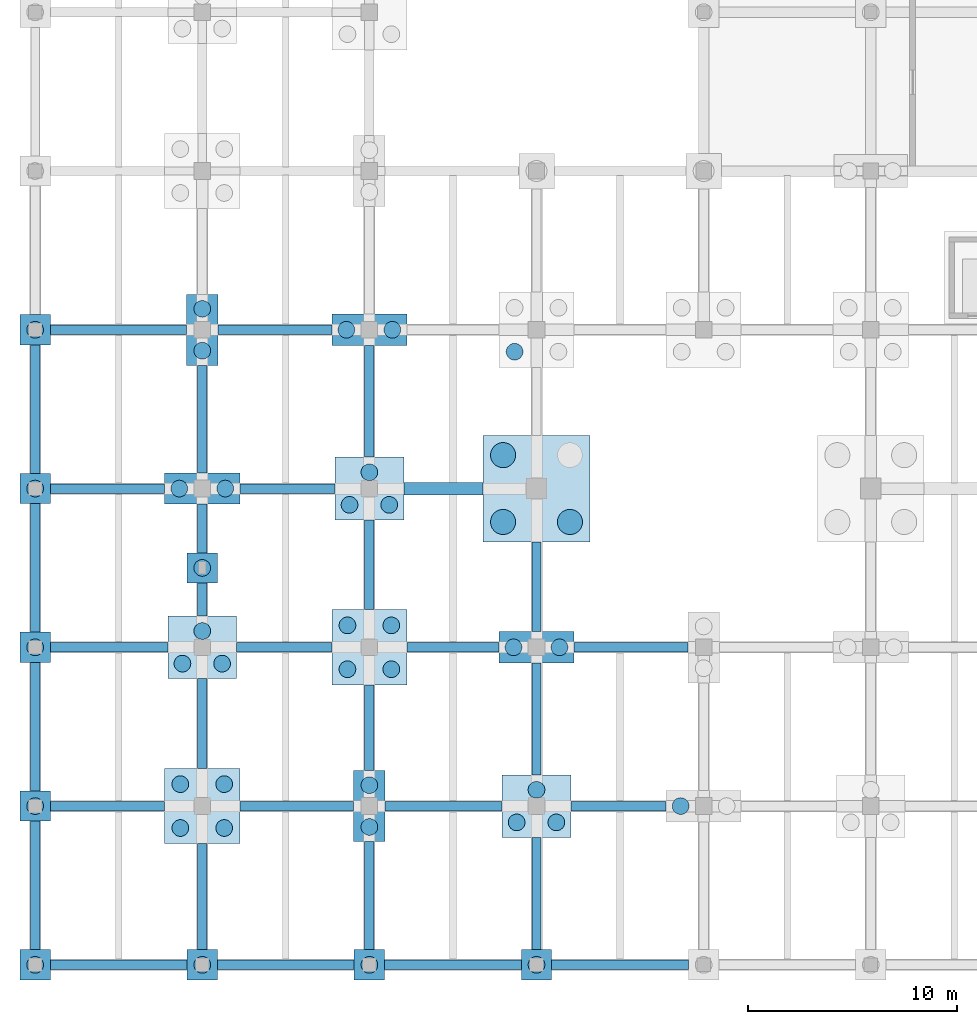
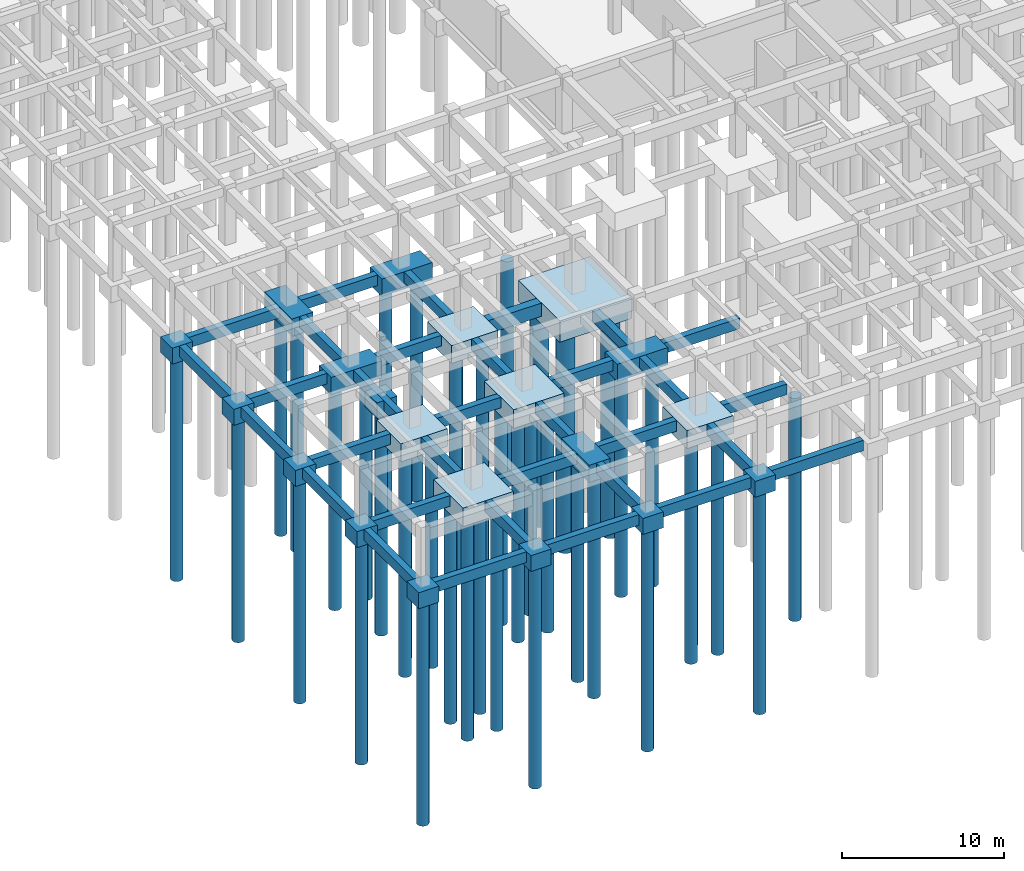
# One storey, part 1 of 49: 52 footings, 41 piles.
"""IFC4 building model written with IfcOpenShell, lengths in metres."""

from ifc_helpers import new_model, si_unit, direction, frame, origin, origin_2d, place, context, subcontext, project, spatial, rectangle, circle, extrude, material, layer, layer_set, material_profile, profile_set, type_object, element, save


model = new_model("IFC4")

# Units and contexts
model_context = context("Model", 3, precision=1e-05, world=origin(), true_north=direction((0.0, 1.0)))
body_context = subcontext(model_context, "Body", "Model", "MODEL_VIEW")
ifc_project = project(units=[si_unit("LENGTHUNIT", "METRE"), si_unit("AREAUNIT", "SQUARE_METRE"), si_unit("VOLUMEUNIT", "CUBIC_METRE"), si_unit("PLANEANGLEUNIT", "RADIAN"), si_unit("MASSUNIT", "GRAM", prefix="KILO")], contexts=[model_context])

# Site, building, storey
site_placement = place(None, origin())
site = spatial("IfcSite", under=ifc_project, at=site_placement, CompositionType="ELEMENT")
building_placement = place(site_placement, origin())
building = spatial("IfcBuilding", under=site, at=building_placement, Name="Zantavel Square City Hall", CompositionType="ELEMENT")
storey_placement = place(building_placement, frame((0.0, 0.0, -4.5)))
storey = spatial("IfcBuildingStorey", under=building, at=storey_placement, Name="B1", CompositionType="ELEMENT", Elevation=-4.5)

# Piles
ifc_material_1 = material(Name="Concrete C35/45", Category="concrete")
ifc_material_profile_1 = material_profile(ifc_material_1, circle(Radius=0.60009765625, at=origin_2d()), Name="PILE D1200")
ifc_profile_set_1 = profile_set([ifc_material_profile_1], Name="Concrete C35/45")
pile_type_1 = type_object("IfcPileType", Name="Bored Pile D1200 Concrete C35/45", PredefinedType="BORED", material=ifc_profile_set_1)
for number, where, z_axis, x_axis, name in (
    (1, (22.39990234375, 21.199951171875, -1.5), (0.0, 0.0, -1.0), (1.0, 0.0, 0.0), "Bored Pile FDN-PL-0240-0228-1"),
    (2, (25.60009765625, 21.199951171875, -1.5), (0.0, 0.0, -1.0), (1.0, 0.0, 0.0), "Bored Pile FDN-PL-0240-0228-2"),
    (3, (22.39990234375, 24.39990234375, -1.5), (0.0, 0.0, -1.0), (1.0, 0.0, 0.0), "Bored Pile FDN-PL-0240-0228-3"),
):
    element("IfcPile", number, at=place(storey_placement, frame(where, z_axis=z_axis, x_axis=x_axis)), inside=storey, type_object=pile_type_1, Name=name, PredefinedType="BORED", context=body_context, shape_type="SweptSolid", body=[
        extrude(circle(Radius=0.60009765625, at=origin_2d()), origin(), (0.0, 0.0, 1.0), 16.5),
    ])
ifc_material_profile_2 = material_profile(ifc_material_1, circle(Radius=0.39990234375, at=origin_2d()), Name="PILE D800")
ifc_profile_set_2 = profile_set([ifc_material_profile_2], Name="Concrete C35/45")
pile_type_2 = type_object("IfcPileType", Name="Bored Pile D800 Concrete C35/45", PredefinedType="BORED", material=ifc_profile_set_2)
for number, where, z_axis, x_axis, name in (
    (4, (0.0, 0.0, -1.10009765625), (0.0, 0.0, -1.0), (1.0, 0.0, 0.0), "Bored Pile FDN-PL-0000-0000-1"),
    (5, (0.0, 7.60009765625, -1.10009765625), (0.0, 0.0, -1.0), (1.0, 0.0, 0.0), "Bored Pile FDN-PL-0000-0076-1"),
    (6, (0.0, 15.199951171875, -1.10009765625), (0.0, 0.0, -1.0), (1.0, 0.0, 0.0), "Bored Pile FDN-PL-0000-0152-1"),
    (7, (0.0, 22.800048828125, -1.10009765625), (0.0, 0.0, -1.0), (1.0, 0.0, 0.0), "Bored Pile FDN-PL-0000-0228-1"),
    (8, (0.0, 30.39990234375, -1.10009765625), (0.0, 0.0, -1.0), (1.0, 0.0, 0.0), "Bored Pile FDN-PL-0000-0304-1"),
    (9, (8.0, 0.0, -1.10009765625), (0.0, 0.0, -1.0), (1.0, 0.0, 0.0), "Bored Pile FDN-PL-0080-0000-1"),
):
    element("IfcPile", number, at=place(storey_placement, frame(where, z_axis=z_axis, x_axis=x_axis)), inside=storey, type_object=pile_type_2, Name=name, PredefinedType="BORED", context=body_context, shape_type="SweptSolid", body=[
        extrude(circle(Radius=0.39990234375, at=origin_2d()), origin(), (0.0, 0.0, 1.0), 16.89990234375),
    ])
for number, where, z_axis, x_axis, name in (
    (10, (6.949951171875, 6.550048828125, -1.300048828125), (0.0, 0.0, -1.0), (1.0, 0.0, 0.0), "Bored Pile FDN-PL-0080-0076-1"),
    (11, (9.050048828125, 6.550048828125, -1.300048828125), (0.0, 0.0, -1.0), (1.0, 0.0, 0.0), "Bored Pile FDN-PL-0080-0076-2"),
    (12, (6.949951171875, 8.64990234375, -1.300048828125), (0.0, 0.0, -1.0), (1.0, 0.0, 0.0), "Bored Pile FDN-PL-0080-0076-3"),
    (13, (9.050048828125, 8.64990234375, -1.300048828125), (0.0, 0.0, -1.0), (1.0, 0.0, 0.0), "Bored Pile FDN-PL-0080-0076-4"),
):
    element("IfcPile", number, at=place(storey_placement, frame(where, z_axis=z_axis, x_axis=x_axis)), inside=storey, type_object=pile_type_2, Name=name, PredefinedType="BORED", context=body_context, shape_type="SweptSolid", body=[
        extrude(circle(Radius=0.39990234375, at=origin_2d()), origin(), (0.0, 0.0, 1.0), 16.699951171875),
    ])
for number, where, z_axis, x_axis, name in (
    (14, (7.050048828125, 14.419921875, -1.25), (0.0, 0.0, -1.0), (1.0, 0.0, 0.0), "Bored Pile FDN-PL-0080-0152-1"),
    (15, (8.949951171875, 14.419921875, -1.25), (0.0, 0.0, -1.0), (1.0, 0.0, 0.0), "Bored Pile FDN-PL-0080-0152-2"),
    (16, (8.0, 15.97998046875, -1.25), (0.0, 0.0, -1.0), (1.0, 0.0, 0.0), "Bored Pile FDN-PL-0080-0152-3"),
):
    element("IfcPile", number, at=place(storey_placement, frame(where, z_axis=z_axis, x_axis=x_axis)), inside=storey, type_object=pile_type_2, Name=name, PredefinedType="BORED", context=body_context, shape_type="SweptSolid", body=[
        extrude(circle(Radius=0.39990234375, at=origin_2d()), origin(), (0.0, 0.0, 1.0), 16.75),
    ])
for number, where, z_axis, x_axis, name in (
    (17, (6.89990234375, 22.800048828125, -1.199951171875), (0.0, 0.0, -1.0), (1.0, 0.0, 0.0), "Bored Pile FDN-PL-0080-0228-1"),
    (18, (9.10009765625, 22.800048828125, -1.199951171875), (0.0, 0.0, -1.0), (1.0, 0.0, 0.0), "Bored Pile FDN-PL-0080-0228-2"),
    (19, (8.0, 29.39990234375, -1.199951171875), (0.0, 0.0, -1.0), (1.0, 0.0, 0.0), "Bored Pile FDN-PL-0080-0304-1"),
    (20, (8.0, 31.39990234375, -1.199951171875), (0.0, 0.0, -1.0), (1.0, 0.0, 0.0), "Bored Pile FDN-PL-0080-0304-2"),
):
    element("IfcPile", number, at=place(storey_placement, frame(where, z_axis=z_axis, x_axis=x_axis)), inside=storey, type_object=pile_type_2, Name=name, PredefinedType="BORED", context=body_context, shape_type="SweptSolid", body=[
        extrude(circle(Radius=0.39990234375, at=origin_2d()), origin(), (0.0, 0.0, 1.0), 16.800048828125),
    ])
pile_1_placement = place(storey_placement, frame((16.0, 0.0, -1.10009765625), z_axis=(0.0, 0.0, -1.0), x_axis=(1.0, 0.0, 0.0)))
element("IfcPile", 21, at=pile_1_placement, inside=storey, type_object=pile_type_2, Name="Bored Pile FDN-PL-0160-0000-1", PredefinedType="BORED", context=body_context, shape_type="SweptSolid", body=[
    extrude(circle(Radius=0.39990234375, at=origin_2d()), origin(), (0.0, 0.0, 1.0), 16.89990234375),
])
for number, where, z_axis, x_axis, name in (
    (22, (16.0, 6.60009765625, -1.199951171875), (0.0, 0.0, -1.0), (1.0, 0.0, 0.0), "Bored Pile FDN-PL-0160-0076-1"),
    (23, (16.0, 8.60009765625, -1.199951171875), (0.0, 0.0, -1.0), (1.0, 0.0, 0.0), "Bored Pile FDN-PL-0160-0076-2"),
):
    element("IfcPile", number, at=place(storey_placement, frame(where, z_axis=z_axis, x_axis=x_axis)), inside=storey, type_object=pile_type_2, Name=name, PredefinedType="BORED", context=body_context, shape_type="SweptSolid", body=[
        extrude(circle(Radius=0.39990234375, at=origin_2d()), origin(), (0.0, 0.0, 1.0), 16.800048828125),
    ])
for number, where, z_axis, x_axis, name in (
    (24, (14.949951171875, 14.14990234375, -1.300048828125), (0.0, 0.0, -1.0), (1.0, 0.0, 0.0), "Bored Pile FDN-PL-0160-0152-1"),
    (25, (17.050048828125, 14.14990234375, -1.300048828125), (0.0, 0.0, -1.0), (1.0, 0.0, 0.0), "Bored Pile FDN-PL-0160-0152-2"),
    (26, (14.949951171875, 16.25, -1.300048828125), (0.0, 0.0, -1.0), (1.0, 0.0, 0.0), "Bored Pile FDN-PL-0160-0152-3"),
    (27, (17.050048828125, 16.25, -1.300048828125), (0.0, 0.0, -1.0), (1.0, 0.0, 0.0), "Bored Pile FDN-PL-0160-0152-4"),
):
    element("IfcPile", number, at=place(storey_placement, frame(where, z_axis=z_axis, x_axis=x_axis)), inside=storey, type_object=pile_type_2, Name=name, PredefinedType="BORED", context=body_context, shape_type="SweptSolid", body=[
        extrude(circle(Radius=0.39990234375, at=origin_2d()), origin(), (0.0, 0.0, 1.0), 16.699951171875),
    ])
for number, where, z_axis, x_axis, name in (
    (28, (15.050048828125, 22.02001953125, -1.25), (0.0, 0.0, -1.0), (1.0, 0.0, 0.0), "Bored Pile FDN-PL-0160-0228-1"),
    (29, (16.949951171875, 22.02001953125, -1.25), (0.0, 0.0, -1.0), (1.0, 0.0, 0.0), "Bored Pile FDN-PL-0160-0228-2"),
    (30, (16.0, 23.580078125, -1.25), (0.0, 0.0, -1.0), (1.0, 0.0, 0.0), "Bored Pile FDN-PL-0160-0228-3"),
):
    element("IfcPile", number, at=place(storey_placement, frame(where, z_axis=z_axis, x_axis=x_axis)), inside=storey, type_object=pile_type_2, Name=name, PredefinedType="BORED", context=body_context, shape_type="SweptSolid", body=[
        extrude(circle(Radius=0.39990234375, at=origin_2d()), origin(), (0.0, 0.0, 1.0), 16.75),
    ])
for number, where, z_axis, x_axis, name in (
    (31, (14.89990234375, 30.39990234375, -1.199951171875), (0.0, 0.0, -1.0), (1.0, 0.0, 0.0), "Bored Pile FDN-PL-0160-0304-1"),
    (32, (17.10009765625, 30.39990234375, -1.199951171875), (0.0, 0.0, -1.0), (1.0, 0.0, 0.0), "Bored Pile FDN-PL-0160-0304-2"),
):
    element("IfcPile", number, at=place(storey_placement, frame(where, z_axis=z_axis, x_axis=x_axis)), inside=storey, type_object=pile_type_2, Name=name, PredefinedType="BORED", context=body_context, shape_type="SweptSolid", body=[
        extrude(circle(Radius=0.39990234375, at=origin_2d()), origin(), (0.0, 0.0, 1.0), 16.800048828125),
    ])
pile_2_placement = place(storey_placement, frame((24.0, 0.0, -1.10009765625), z_axis=(0.0, 0.0, -1.0), x_axis=(1.0, 0.0, 0.0)))
element("IfcPile", 33, at=pile_2_placement, inside=storey, type_object=pile_type_2, Name="Bored Pile FDN-PL-0240-0000-1", PredefinedType="BORED", context=body_context, shape_type="SweptSolid", body=[
    extrude(circle(Radius=0.39990234375, at=origin_2d()), origin(), (0.0, 0.0, 1.0), 16.89990234375),
])
for number, where, z_axis, x_axis, name in (
    (34, (23.050048828125, 6.820068359375, -1.25), (0.0, 0.0, -1.0), (1.0, 0.0, 0.0), "Bored Pile FDN-PL-0240-0076-1"),
    (35, (24.949951171875, 6.820068359375, -1.25), (0.0, 0.0, -1.0), (1.0, 0.0, 0.0), "Bored Pile FDN-PL-0240-0076-2"),
    (36, (24.0, 8.3798828125, -1.25), (0.0, 0.0, -1.0), (1.0, 0.0, 0.0), "Bored Pile FDN-PL-0240-0076-3"),
):
    element("IfcPile", number, at=place(storey_placement, frame(where, z_axis=z_axis, x_axis=x_axis)), inside=storey, type_object=pile_type_2, Name=name, PredefinedType="BORED", context=body_context, shape_type="SweptSolid", body=[
        extrude(circle(Radius=0.39990234375, at=origin_2d()), origin(), (0.0, 0.0, 1.0), 16.75),
    ])
for number, where, z_axis, x_axis, name in (
    (37, (22.89990234375, 15.199951171875, -1.199951171875), (0.0, 0.0, -1.0), (1.0, 0.0, 0.0), "Bored Pile FDN-PL-0240-0152-1"),
    (38, (25.10009765625, 15.199951171875, -1.199951171875), (0.0, 0.0, -1.0), (1.0, 0.0, 0.0), "Bored Pile FDN-PL-0240-0152-2"),
):
    element("IfcPile", number, at=place(storey_placement, frame(where, z_axis=z_axis, x_axis=x_axis)), inside=storey, type_object=pile_type_2, Name=name, PredefinedType="BORED", context=body_context, shape_type="SweptSolid", body=[
        extrude(circle(Radius=0.39990234375, at=origin_2d()), origin(), (0.0, 0.0, 1.0), 16.800048828125),
    ])
pile_3_placement = place(storey_placement, frame((22.949951171875, 29.35009765625, -1.300048828125), z_axis=(0.0, 0.0, -1.0), x_axis=(1.0, 0.0, 0.0)))
element("IfcPile", 39, at=pile_3_placement, inside=storey, type_object=pile_type_2, Name="Bored Pile FDN-PL-0240-0304-1", PredefinedType="BORED", context=body_context, shape_type="SweptSolid", body=[
    extrude(circle(Radius=0.39990234375, at=origin_2d()), origin(), (0.0, 0.0, 1.0), 16.699951171875),
])
pile_4_placement = place(storey_placement, frame((30.89990234375, 7.60009765625, -1.199951171875), z_axis=(0.0, 0.0, -1.0), x_axis=(1.0, 0.0, 0.0)))
element("IfcPile", 40, at=pile_4_placement, inside=storey, type_object=pile_type_2, Name="Bored Pile FDN-PL-0320-0076-1", PredefinedType="BORED", context=body_context, shape_type="SweptSolid", body=[
    extrude(circle(Radius=0.39990234375, at=origin_2d()), origin(), (0.0, 0.0, 1.0), 16.800048828125),
])
pile_5_placement = place(storey_placement, frame((8.0, 19.0, -1.10009765625), z_axis=(0.0, 0.0, -1.0), x_axis=(1.0, 0.0, 0.0)))
element("IfcPile", 41, at=pile_5_placement, inside=storey, type_object=pile_type_2, Name="Pilaster Bored Pile FDN-PLPIL-0080-0190", PredefinedType="BORED", context=body_context, shape_type="SweptSolid", body=[
    extrude(circle(Radius=0.39990234375, at=origin_2d()), origin(), (0.0, 0.0, 1.0), 16.89990234375),
])

# Footings
ifc_material_profile_3 = material_profile(ifc_material_1, rectangle(XDim=0.449951171875, YDim=0.800048828125, at=origin_2d()), Name="RC 450x800")
ifc_profile_set_3 = profile_set([ifc_material_profile_3], Name="Concrete C35/45")
footing_type_1 = type_object("IfcFootingType", Name="Courtyard Grade Tie Beam 450x800 C35/45", PredefinedType="FOOTING_BEAM", material=ifc_profile_set_3)
footing_1_placement = place(storey_placement, frame((0.72509765625, 0.0, -0.39990234375), z_axis=(1.0, 0.0, 0.0), x_axis=(0.0, 1.0, 0.0)))
element("IfcFooting", 42, at=footing_1_placement, inside=storey, type_object=footing_type_1, Name="Grade Tie Beam FDN-GTBX-0000-0000", PredefinedType="FOOTING_BEAM", context=body_context, shape_type="SweptSolid", body=[
    extrude(rectangle(XDim=0.449951171875, YDim=0.800048828125, at=origin_2d()), origin(), (0.0, 0.0, 1.0), 6.5498046875),
])
footing_2_placement = place(storey_placement, frame((0.0, 0.72509765625, -0.39990234375), z_axis=(0.0, 1.0, 0.0), x_axis=(-1.0, 0.0, 0.0)))
element("IfcFooting", 43, at=footing_2_placement, inside=storey, type_object=footing_type_1, Name="Grade Tie Beam FDN-GTBY-0000-0000", PredefinedType="FOOTING_BEAM", context=body_context, shape_type="SweptSolid", body=[
    extrude(rectangle(XDim=0.449951171875, YDim=0.800048828125, at=origin_2d()), origin(), (0.0, 0.0, 1.0), 6.14990234375),
])
footing_3_placement = place(storey_placement, frame((0.72509765625, 7.60009765625, -0.39990234375), z_axis=(1.0, 0.0, 0.0), x_axis=(0.0, 1.0, 0.0)))
element("IfcFooting", 44, at=footing_3_placement, inside=storey, type_object=footing_type_1, Name="Grade Tie Beam FDN-GTBX-0000-0076", PredefinedType="FOOTING_BEAM", context=body_context, shape_type="SweptSolid", body=[
    extrude(rectangle(XDim=0.449951171875, YDim=0.800048828125, at=origin_2d()), origin(), (0.0, 0.0, 1.0), 5.474853515625),
])
footing_4_placement = place(storey_placement, frame((0.0, 8.324951171875, -0.39990234375), z_axis=(0.0, 1.0, 0.0), x_axis=(-1.0, 0.0, 0.0)))
element("IfcFooting", 45, at=footing_4_placement, inside=storey, type_object=footing_type_1, Name="Grade Tie Beam FDN-GTBY-0000-0076", PredefinedType="FOOTING_BEAM", context=body_context, shape_type="SweptSolid", body=[
    extrude(rectangle(XDim=0.449951171875, YDim=0.800048828125, at=origin_2d()), origin(), (0.0, 0.0, 1.0), 6.150146484375),
])
footing_5_placement = place(storey_placement, frame((0.72509765625, 15.199951171875, -0.39990234375), z_axis=(1.0, 0.0, 0.0), x_axis=(0.0, 1.0, 0.0)))
element("IfcFooting", 46, at=footing_5_placement, inside=storey, type_object=footing_type_1, Name="Grade Tie Beam FDN-GTBX-0000-0152", PredefinedType="FOOTING_BEAM", context=body_context, shape_type="SweptSolid", body=[
    extrude(rectangle(XDim=0.449951171875, YDim=0.800048828125, at=origin_2d()), origin(), (0.0, 0.0, 1.0), 5.625),
])
footing_6_placement = place(storey_placement, frame((0.0, 15.925048828125, -0.39990234375), z_axis=(0.0, 1.0, 0.0), x_axis=(-1.0, 0.0, 0.0)))
element("IfcFooting", 47, at=footing_6_placement, inside=storey, type_object=footing_type_1, Name="Grade Tie Beam FDN-GTBY-0000-0152", PredefinedType="FOOTING_BEAM", context=body_context, shape_type="SweptSolid", body=[
    extrude(rectangle(XDim=0.449951171875, YDim=0.800048828125, at=origin_2d()), origin(), (0.0, 0.0, 1.0), 6.14990234375),
])
footing_7_placement = place(storey_placement, frame((0.72509765625, 22.800048828125, -0.39990234375), z_axis=(1.0, 0.0, 0.0), x_axis=(0.0, 1.0, 0.0)))
element("IfcFooting", 48, at=footing_7_placement, inside=storey, type_object=footing_type_1, Name="Grade Tie Beam FDN-GTBX-0000-0228", PredefinedType="FOOTING_BEAM", context=body_context, shape_type="SweptSolid", body=[
    extrude(rectangle(XDim=0.449951171875, YDim=0.800048828125, at=origin_2d()), origin(), (0.0, 0.0, 1.0), 5.474853515625),
])
footing_8_placement = place(storey_placement, frame((0.0, 23.52490234375, -0.39990234375), z_axis=(0.0, 1.0, 0.0), x_axis=(-1.0, 0.0, 0.0)))
element("IfcFooting", 49, at=footing_8_placement, inside=storey, type_object=footing_type_1, Name="Grade Tie Beam FDN-GTBY-0000-0228", PredefinedType="FOOTING_BEAM", context=body_context, shape_type="SweptSolid", body=[
    extrude(rectangle(XDim=0.449951171875, YDim=0.800048828125, at=origin_2d()), origin(), (0.0, 0.0, 1.0), 6.150146484375),
])
footing_9_placement = place(storey_placement, frame((0.72509765625, 30.39990234375, -0.39990234375), z_axis=(1.0, 0.0, 0.0), x_axis=(0.0, 1.0, 0.0)))
element("IfcFooting", 50, at=footing_9_placement, inside=storey, type_object=footing_type_1, Name="Grade Tie Beam FDN-GTBX-0000-0304", PredefinedType="FOOTING_BEAM", context=body_context, shape_type="SweptSolid", body=[
    extrude(rectangle(XDim=0.449951171875, YDim=0.800048828125, at=origin_2d()), origin(), (0.0, 0.0, 1.0), 6.52490234375),
])
footing_10_placement = place(storey_placement, frame((8.72509765625, 0.0, -0.39990234375), z_axis=(1.0, 0.0, 0.0), x_axis=(0.0, 1.0, 0.0)))
element("IfcFooting", 51, at=footing_10_placement, inside=storey, type_object=footing_type_1, Name="Grade Tie Beam FDN-GTBX-0080-0000", PredefinedType="FOOTING_BEAM", context=body_context, shape_type="SweptSolid", body=[
    extrude(rectangle(XDim=0.449951171875, YDim=0.800048828125, at=origin_2d()), origin(), (0.0, 0.0, 1.0), 6.5498046875),
])
footing_11_placement = place(storey_placement, frame((8.0, 0.72509765625, -0.39990234375), z_axis=(0.0, 1.0, 0.0), x_axis=(-1.0, 0.0, 0.0)))
element("IfcFooting", 52, at=footing_11_placement, inside=storey, type_object=footing_type_1, Name="Grade Tie Beam FDN-GTBY-0080-0000", PredefinedType="FOOTING_BEAM", context=body_context, shape_type="SweptSolid", body=[
    extrude(rectangle(XDim=0.449951171875, YDim=0.800048828125, at=origin_2d()), origin(), (0.0, 0.0, 1.0), 5.074951171875),
])
footing_12_placement = place(storey_placement, frame((9.800048828125, 7.60009765625, -0.39990234375), z_axis=(1.0, 0.0, 0.0), x_axis=(0.0, 1.0, 0.0)))
element("IfcFooting", 53, at=footing_12_placement, inside=storey, type_object=footing_type_1, Name="Grade Tie Beam FDN-GTBX-0080-0076", PredefinedType="FOOTING_BEAM", context=body_context, shape_type="SweptSolid", body=[
    extrude(rectangle(XDim=0.449951171875, YDim=0.800048828125, at=origin_2d()), origin(), (0.0, 0.0, 1.0), 5.449951171875),
])
footing_13_placement = place(storey_placement, frame((8.0, 9.39990234375, -0.39990234375), z_axis=(0.0, 1.0, 0.0), x_axis=(-1.0, 0.0, 0.0)))
element("IfcFooting", 54, at=footing_13_placement, inside=storey, type_object=footing_type_1, Name="Grade Tie Beam FDN-GTBY-0080-0076", PredefinedType="FOOTING_BEAM", context=body_context, shape_type="SweptSolid", body=[
    extrude(rectangle(XDim=0.449951171875, YDim=0.800048828125, at=origin_2d()), origin(), (0.0, 0.0, 1.0), 4.300048828125),
])
footing_14_placement = place(storey_placement, frame((9.64990234375, 15.199951171875, -0.39990234375), z_axis=(1.0, 0.0, 0.0), x_axis=(0.0, 1.0, 0.0)))
element("IfcFooting", 55, at=footing_14_placement, inside=storey, type_object=footing_type_1, Name="Grade Tie Beam FDN-GTBX-0080-0152", PredefinedType="FOOTING_BEAM", context=body_context, shape_type="SweptSolid", body=[
    extrude(rectangle(XDim=0.449951171875, YDim=0.800048828125, at=origin_2d()), origin(), (0.0, 0.0, 1.0), 4.550048828125),
])
footing_15_placement = place(storey_placement, frame((8.0, 16.699951171875, -0.39990234375), z_axis=(0.0, 1.0, 0.0), x_axis=(-1.0, 0.0, 0.0)))
element("IfcFooting", 56, at=footing_15_placement, inside=storey, type_object=footing_type_1, Name="Grade Tie Beam FDN-GTBY-0080-0152", PredefinedType="FOOTING_BEAM", context=body_context, shape_type="SweptSolid", body=[
    extrude(rectangle(XDim=0.449951171875, YDim=0.800048828125, at=origin_2d()), origin(), (0.0, 0.0, 1.0), 5.35009765625),
])
footing_16_placement = place(storey_placement, frame((9.800048828125, 22.800048828125, -0.39990234375), z_axis=(1.0, 0.0, 0.0), x_axis=(0.0, 1.0, 0.0)))
element("IfcFooting", 57, at=footing_16_placement, inside=storey, type_object=footing_type_1, Name="Grade Tie Beam FDN-GTBX-0080-0228", PredefinedType="FOOTING_BEAM", context=body_context, shape_type="SweptSolid", body=[
    extrude(rectangle(XDim=0.449951171875, YDim=0.800048828125, at=origin_2d()), origin(), (0.0, 0.0, 1.0), 4.550048828125),
])
footing_17_placement = place(storey_placement, frame((8.0, 23.550048828125, -0.39990234375), z_axis=(0.0, 1.0, 0.0), x_axis=(-1.0, 0.0, 0.0)))
element("IfcFooting", 58, at=footing_17_placement, inside=storey, type_object=footing_type_1, Name="Grade Tie Beam FDN-GTBY-0080-0228", PredefinedType="FOOTING_BEAM", context=body_context, shape_type="SweptSolid", body=[
    extrude(rectangle(XDim=0.449951171875, YDim=0.800048828125, at=origin_2d()), origin(), (0.0, 0.0, 1.0), 5.14990234375),
])
footing_18_placement = place(storey_placement, frame((8.75, 30.39990234375, -0.39990234375), z_axis=(1.0, 0.0, 0.0), x_axis=(0.0, 1.0, 0.0)))
element("IfcFooting", 59, at=footing_18_placement, inside=storey, type_object=footing_type_1, Name="Grade Tie Beam FDN-GTBX-0080-0304", PredefinedType="FOOTING_BEAM", context=body_context, shape_type="SweptSolid", body=[
    extrude(rectangle(XDim=0.449951171875, YDim=0.800048828125, at=origin_2d()), origin(), (0.0, 0.0, 1.0), 5.449951171875),
])
footing_19_placement = place(storey_placement, frame((16.72509765625, 0.0, -0.39990234375), z_axis=(1.0, 0.0, 0.0), x_axis=(0.0, 1.0, 0.0)))
element("IfcFooting", 60, at=footing_19_placement, inside=storey, type_object=footing_type_1, Name="Grade Tie Beam FDN-GTBX-0160-0000", PredefinedType="FOOTING_BEAM", context=body_context, shape_type="SweptSolid", body=[
    extrude(rectangle(XDim=0.449951171875, YDim=0.800048828125, at=origin_2d()), origin(), (0.0, 0.0, 1.0), 6.5498046875),
])
footing_20_placement = place(storey_placement, frame((16.0, 0.72509765625, -0.39990234375), z_axis=(0.0, 1.0, 0.0), x_axis=(-1.0, 0.0, 0.0)))
element("IfcFooting", 61, at=footing_20_placement, inside=storey, type_object=footing_type_1, Name="Grade Tie Beam FDN-GTBY-0160-0000", PredefinedType="FOOTING_BEAM", context=body_context, shape_type="SweptSolid", body=[
    extrude(rectangle(XDim=0.449951171875, YDim=0.800048828125, at=origin_2d()), origin(), (0.0, 0.0, 1.0), 5.1748046875),
])
footing_21_placement = place(storey_placement, frame((16.75, 7.60009765625, -0.39990234375), z_axis=(1.0, 0.0, 0.0), x_axis=(0.0, 1.0, 0.0)))
element("IfcFooting", 62, at=footing_21_placement, inside=storey, type_object=footing_type_1, Name="Grade Tie Beam FDN-GTBX-0160-0076", PredefinedType="FOOTING_BEAM", context=body_context, shape_type="SweptSolid", body=[
    extrude(rectangle(XDim=0.449951171875, YDim=0.800048828125, at=origin_2d()), origin(), (0.0, 0.0, 1.0), 5.60009765625),
])
footing_22_placement = place(storey_placement, frame((16.0, 9.300048828125, -0.39990234375), z_axis=(0.0, 1.0, 0.0), x_axis=(-1.0, 0.0, 0.0)))
element("IfcFooting", 63, at=footing_22_placement, inside=storey, type_object=footing_type_1, Name="Grade Tie Beam FDN-GTBY-0160-0076", PredefinedType="FOOTING_BEAM", context=body_context, shape_type="SweptSolid", body=[
    extrude(rectangle(XDim=0.449951171875, YDim=0.800048828125, at=origin_2d()), origin(), (0.0, 0.0, 1.0), 4.099853515625),
])
footing_23_placement = place(storey_placement, frame((17.800048828125, 15.199951171875, -0.39990234375), z_axis=(1.0, 0.0, 0.0), x_axis=(0.0, 1.0, 0.0)))
element("IfcFooting", 64, at=footing_23_placement, inside=storey, type_object=footing_type_1, Name="Grade Tie Beam FDN-GTBX-0160-0152", PredefinedType="FOOTING_BEAM", context=body_context, shape_type="SweptSolid", body=[
    extrude(rectangle(XDim=0.449951171875, YDim=0.800048828125, at=origin_2d()), origin(), (0.0, 0.0, 1.0), 4.39990234375),
])
footing_24_placement = place(storey_placement, frame((16.0, 17.0, -0.39990234375), z_axis=(0.0, 1.0, 0.0), x_axis=(-1.0, 0.0, 0.0)))
element("IfcFooting", 65, at=footing_24_placement, inside=storey, type_object=footing_type_1, Name="Grade Tie Beam FDN-GTBY-0160-0152", PredefinedType="FOOTING_BEAM", context=body_context, shape_type="SweptSolid", body=[
    extrude(rectangle(XDim=0.449951171875, YDim=0.800048828125, at=origin_2d()), origin(), (0.0, 0.0, 1.0), 4.300048828125),
])
footing_25_placement = place(storey_placement, frame((16.0, 24.300048828125, -0.39990234375), z_axis=(0.0, 1.0, 0.0), x_axis=(-1.0, 0.0, 0.0)))
element("IfcFooting", 66, at=footing_25_placement, inside=storey, type_object=footing_type_1, Name="Grade Tie Beam FDN-GTBY-0160-0228", PredefinedType="FOOTING_BEAM", context=body_context, shape_type="SweptSolid", body=[
    extrude(rectangle(XDim=0.449951171875, YDim=0.800048828125, at=origin_2d()), origin(), (0.0, 0.0, 1.0), 5.349853515625),
])
footing_26_placement = place(storey_placement, frame((24.72509765625, 0.0, -0.39990234375), z_axis=(1.0, 0.0, 0.0), x_axis=(0.0, 1.0, 0.0)))
element("IfcFooting", 67, at=footing_26_placement, inside=storey, type_object=footing_type_1, Name="Grade Tie Beam FDN-GTBX-0240-0000", PredefinedType="FOOTING_BEAM", context=body_context, shape_type="SweptSolid", body=[
    extrude(rectangle(XDim=0.449951171875, YDim=0.800048828125, at=origin_2d()), origin(), (0.0, 0.0, 1.0), 6.5498046875),
])
footing_27_placement = place(storey_placement, frame((24.0, 0.72509765625, -0.39990234375), z_axis=(0.0, 1.0, 0.0), x_axis=(-1.0, 0.0, 0.0)))
element("IfcFooting", 68, at=footing_27_placement, inside=storey, type_object=footing_type_1, Name="Grade Tie Beam FDN-GTBY-0240-0000", PredefinedType="FOOTING_BEAM", context=body_context, shape_type="SweptSolid", body=[
    extrude(rectangle(XDim=0.449951171875, YDim=0.800048828125, at=origin_2d()), origin(), (0.0, 0.0, 1.0), 5.375),
])
footing_28_placement = place(storey_placement, frame((25.64990234375, 7.60009765625, -0.39990234375), z_axis=(1.0, 0.0, 0.0), x_axis=(0.0, 1.0, 0.0)))
element("IfcFooting", 69, at=footing_28_placement, inside=storey, type_object=footing_type_1, Name="Grade Tie Beam FDN-GTBX-0240-0076", PredefinedType="FOOTING_BEAM", context=body_context, shape_type="SweptSolid", body=[
    extrude(rectangle(XDim=0.449951171875, YDim=0.800048828125, at=origin_2d()), origin(), (0.0, 0.0, 1.0), 4.550048828125),
])
footing_29_placement = place(storey_placement, frame((24.0, 9.10009765625, -0.39990234375), z_axis=(0.0, 1.0, 0.0), x_axis=(-1.0, 0.0, 0.0)))
element("IfcFooting", 70, at=footing_29_placement, inside=storey, type_object=footing_type_1, Name="Grade Tie Beam FDN-GTBY-0240-0076", PredefinedType="FOOTING_BEAM", context=body_context, shape_type="SweptSolid", body=[
    extrude(rectangle(XDim=0.449951171875, YDim=0.800048828125, at=origin_2d()), origin(), (0.0, 0.0, 1.0), 5.349853515625),
])
footing_30_placement = place(storey_placement, frame((25.800048828125, 15.199951171875, -0.39990234375), z_axis=(1.0, 0.0, 0.0), x_axis=(0.0, 1.0, 0.0)))
element("IfcFooting", 71, at=footing_30_placement, inside=storey, type_object=footing_type_1, Name="Grade Tie Beam FDN-GTBX-0240-0152", PredefinedType="FOOTING_BEAM", context=body_context, shape_type="SweptSolid", body=[
    extrude(rectangle(XDim=0.449951171875, YDim=0.800048828125, at=origin_2d()), origin(), (0.0, 0.0, 1.0), 5.449951171875),
])
footing_31_placement = place(storey_placement, frame((24.0, 15.949951171875, -0.39990234375), z_axis=(0.0, 1.0, 0.0), x_axis=(-1.0, 0.0, 0.0)))
element("IfcFooting", 72, at=footing_31_placement, inside=storey, type_object=footing_type_1, Name="Grade Tie Beam FDN-GTBY-0240-0152", PredefinedType="FOOTING_BEAM", context=body_context, shape_type="SweptSolid", body=[
    extrude(rectangle(XDim=0.449951171875, YDim=0.800048828125, at=origin_2d()), origin(), (0.0, 0.0, 1.0), 4.300048828125),
])
ifc_material_2 = material(Name="Concrete C40/50", Category="concrete")
ifc_material_profile_4 = material_profile(ifc_material_2, rectangle(XDim=0.60009765625, YDim=1.0, at=origin_2d()), Name="RC 600x1000")
ifc_profile_set_4 = profile_set([ifc_material_profile_4], Name="Concrete C40/50")
footing_type_2 = type_object("IfcFootingType", Name="Heavy Perimeter Grade Tie Beam 600x1000 C40/50", PredefinedType="FOOTING_BEAM", material=ifc_profile_set_4)
footing_32_placement = place(storey_placement, frame((17.64990234375, 22.800048828125, -0.5), z_axis=(1.0, 0.0, 0.0), x_axis=(0.0, 1.0, 0.0)))
element("IfcFooting", 73, at=footing_32_placement, inside=storey, type_object=footing_type_2, Name="Grade Tie Beam FDN-GTBX-0160-0228", PredefinedType="FOOTING_BEAM", context=body_context, shape_type="SweptSolid", body=[
    extrude(rectangle(XDim=0.60009765625, YDim=1.0, at=origin_2d()), origin(), (0.0, 0.0, 1.0), 3.800048828125),
])
ifc_layer_1 = layer(ifc_material_2, 1.199951171875, Name="Concrete C40/50")
ifc_layer_set_1 = layer_set([ifc_layer_1], Name="Concrete C40/50")
footing_type_3 = type_object("IfcFootingType", Name="Pile Cap 1P-D800 1450x1450x1200", PredefinedType="PILE_CAP", material=ifc_layer_set_1)
for number, where, z_axis, x_axis, name in (
    (74, (0.0, 0.0, -1.2001953125), (0.0, 0.0, 1.0), (1.0, 0.0, 0.0), "Pile Cap FDN-PC-0000-0000"),
    (75, (0.0, 7.60009765625, -1.2001953125), (0.0, 0.0, 1.0), (1.0, 0.0, 0.0), "Pile Cap FDN-PC-0000-0076"),
    (76, (0.0, 15.199951171875, -1.2001953125), (0.0, 0.0, 1.0), (1.0, 0.0, 0.0), "Pile Cap FDN-PC-0000-0152"),
    (77, (0.0, 22.800048828125, -1.2001953125), (0.0, 0.0, 1.0), (1.0, 0.0, 0.0), "Pile Cap FDN-PC-0000-0228"),
    (78, (0.0, 30.39990234375, -1.2001953125), (0.0, 0.0, 1.0), (1.0, 0.0, 0.0), "Pile Cap FDN-PC-0000-0304"),
    (79, (8.0, 0.0, -1.2001953125), (0.0, 0.0, 1.0), (1.0, 0.0, 0.0), "Pile Cap FDN-PC-0080-0000"),
    (80, (16.0, 0.0, -1.2001953125), (0.0, 0.0, 1.0), (1.0, 0.0, 0.0), "Pile Cap FDN-PC-0160-0000"),
    (81, (24.0, 0.0, -1.2001953125), (0.0, 0.0, 1.0), (1.0, 0.0, 0.0), "Pile Cap FDN-PC-0240-0000"),
    (82, (8.0, 19.0, -1.2001953125), (0.0, 0.0, 1.0), (1.0, 0.0, 0.0), "Pilaster Pile Cap FDN-PCPIL-0080-0190"),
):
    element("IfcFooting", number, at=place(storey_placement, frame(where, z_axis=z_axis, x_axis=x_axis)), inside=storey, type_object=footing_type_3, Name=name, PredefinedType="PILE_CAP", context=body_context, shape_type="SweptSolid", body=[
        extrude(rectangle(XDim=1.449951171875, YDim=1.449951171875, at=origin_2d()), origin(), (0.0, 0.0, 1.0), 1.199951171875),
    ])
ifc_layer_2 = layer(ifc_material_2, 1.300048828125, Name="Concrete C40/50")
ifc_layer_set_2 = layer_set([ifc_layer_2], Name="Concrete C40/50")
footing_type_4 = type_object("IfcFootingType", Name="Pile Cap 2P-D800X 3600x1500x1300", PredefinedType="PILE_CAP", material=ifc_layer_set_2)
for number, where, z_axis, x_axis, name in (
    (83, (8.0, 22.800048828125, -1.2998046875), (0.0, 0.0, 1.0), (1.0, 0.0, 0.0), "Pile Cap FDN-PC-0080-0228"),
    (84, (16.0, 30.39990234375, -1.2998046875), (0.0, 0.0, 1.0), (1.0, 0.0, 0.0), "Pile Cap FDN-PC-0160-0304"),
    (85, (24.0, 15.199951171875, -1.2998046875), (0.0, 0.0, 1.0), (1.0, 0.0, 0.0), "Pile Cap FDN-PC-0240-0152"),
):
    element("IfcFooting", number, at=place(storey_placement, frame(where, z_axis=z_axis, x_axis=x_axis)), inside=storey, type_object=footing_type_4, Name=name, PredefinedType="PILE_CAP", context=body_context, shape_type="SweptSolid", body=[
        extrude(rectangle(XDim=3.60009765625, YDim=1.5, at=origin_2d()), origin(), (0.0, 0.0, 1.0), 1.300048828125),
    ])
ifc_layer_3 = layer(ifc_material_2, 1.300048828125, Name="Concrete C40/50")
ifc_layer_set_3 = layer_set([ifc_layer_3], Name="Concrete C40/50")
footing_type_5 = type_object("IfcFootingType", Name="Pile Cap 2P-D800Y 1500x3400x1300", PredefinedType="PILE_CAP", material=ifc_layer_set_3)
for number, where, z_axis, x_axis, name in (
    (86, (8.0, 30.39990234375, -1.2998046875), (0.0, 0.0, 1.0), (1.0, 0.0, 0.0), "Pile Cap FDN-PC-0080-0304"),
    (87, (16.0, 7.60009765625, -1.2998046875), (0.0, 0.0, 1.0), (1.0, 0.0, 0.0), "Pile Cap FDN-PC-0160-0076"),
):
    element("IfcFooting", number, at=place(storey_placement, frame(where, z_axis=z_axis, x_axis=x_axis)), inside=storey, type_object=footing_type_5, Name=name, PredefinedType="PILE_CAP", context=body_context, shape_type="SweptSolid", body=[
        extrude(rectangle(XDim=1.5, YDim=3.39990234375, at=origin_2d()), origin(), (0.0, 0.0, 1.0), 1.300048828125),
    ])
ifc_layer_4 = layer(ifc_material_2, 1.35009765625, Name="Concrete C40/50")
ifc_layer_set_4 = layer_set([ifc_layer_4], Name="Concrete C40/50")
footing_type_6 = type_object("IfcFootingType", Name="Pile Cap 3P-D800 3300x3000x1350", PredefinedType="PILE_CAP", material=ifc_layer_set_4)
for number, where, z_axis, x_axis, name in (
    (88, (8.0, 15.199951171875, -1.35009765625), (0.0, 0.0, 1.0), (1.0, 0.0, 0.0), "Pile Cap FDN-PC-0080-0152"),
    (89, (16.0, 22.800048828125, -1.35009765625), (0.0, 0.0, 1.0), (1.0, 0.0, 0.0), "Pile Cap FDN-PC-0160-0228"),
    (90, (24.0, 7.60009765625, -1.35009765625), (0.0, 0.0, 1.0), (1.0, 0.0, 0.0), "Pile Cap FDN-PC-0240-0076"),
):
    element("IfcFooting", number, at=place(storey_placement, frame(where, z_axis=z_axis, x_axis=x_axis)), inside=storey, type_object=footing_type_6, Name=name, PredefinedType="PILE_CAP", context=body_context, shape_type="SweptSolid", body=[
        extrude(rectangle(XDim=3.300048828125, YDim=3.0, at=origin_2d()), origin(), (0.0, 0.0, 1.0), 1.35009765625),
    ])
ifc_layer_5 = layer(ifc_material_2, 1.60009765625, Name="Concrete C40/50")
ifc_layer_set_5 = layer_set([ifc_layer_5], Name="Concrete C40/50")
footing_type_7 = type_object("IfcFootingType", Name="Pile Cap 4P-D1200T 5100x5100x1600", PredefinedType="PILE_CAP", material=ifc_layer_set_5)
footing_33_placement = place(storey_placement, frame((24.0, 22.800048828125, -1.60009765625), z_axis=(0.0, 0.0, 1.0), x_axis=(1.0, 0.0, 0.0)))
element("IfcFooting", 91, at=footing_33_placement, inside=storey, type_object=footing_type_7, Name="Pile Cap FDN-PC-0240-0228", PredefinedType="PILE_CAP", context=body_context, shape_type="SweptSolid", body=[
    extrude(rectangle(XDim=5.10009765625, YDim=5.10009765625, at=origin_2d()), origin(), (0.0, 0.0, 1.0), 1.60009765625),
])
ifc_layer_6 = layer(ifc_material_2, 1.39990234375, Name="Concrete C40/50")
ifc_layer_set_6 = layer_set([ifc_layer_6], Name="Concrete C40/50")
footing_type_8 = type_object("IfcFootingType", Name="Pile Cap 4P-D800 3600x3600x1400", PredefinedType="PILE_CAP", material=ifc_layer_set_6)
for number, where, z_axis, x_axis, name in (
    (92, (8.0, 7.60009765625, -1.39990234375), (0.0, 0.0, 1.0), (1.0, 0.0, 0.0), "Pile Cap FDN-PC-0080-0076"),
    (93, (16.0, 15.199951171875, -1.39990234375), (0.0, 0.0, 1.0), (1.0, 0.0, 0.0), "Pile Cap FDN-PC-0160-0152"),
):
    element("IfcFooting", number, at=place(storey_placement, frame(where, z_axis=z_axis, x_axis=x_axis)), inside=storey, type_object=footing_type_8, Name=name, PredefinedType="PILE_CAP", context=body_context, shape_type="SweptSolid", body=[
        extrude(rectangle(XDim=3.60009765625, YDim=3.60009765625, at=origin_2d()), origin(), (0.0, 0.0, 1.0), 1.39990234375),
    ])

save(model, "model.ifc")
